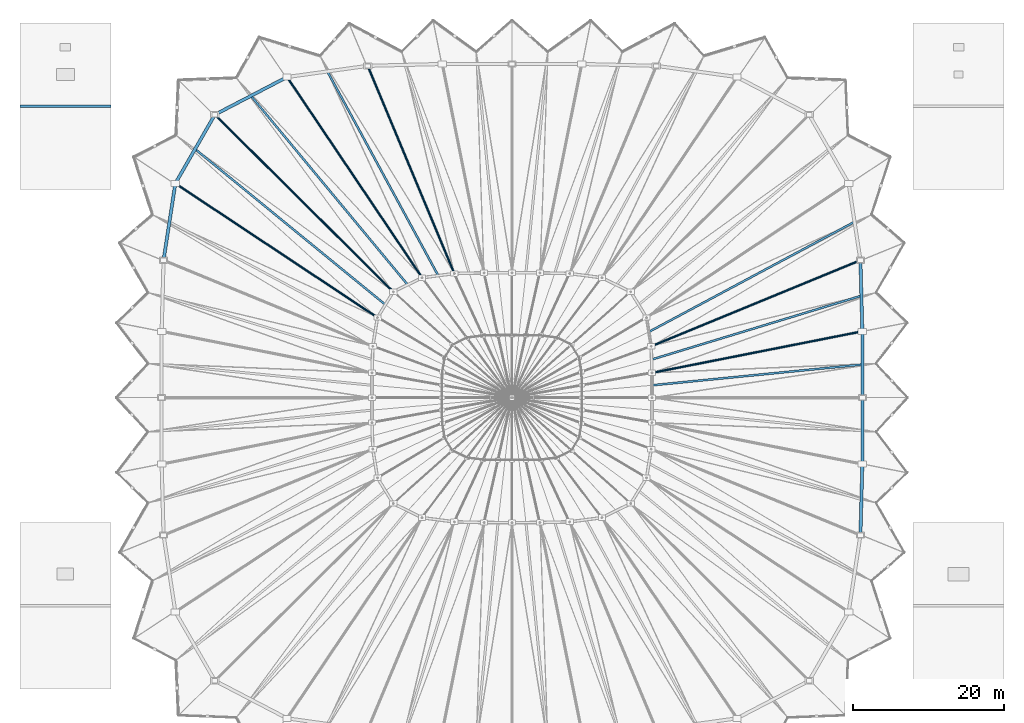
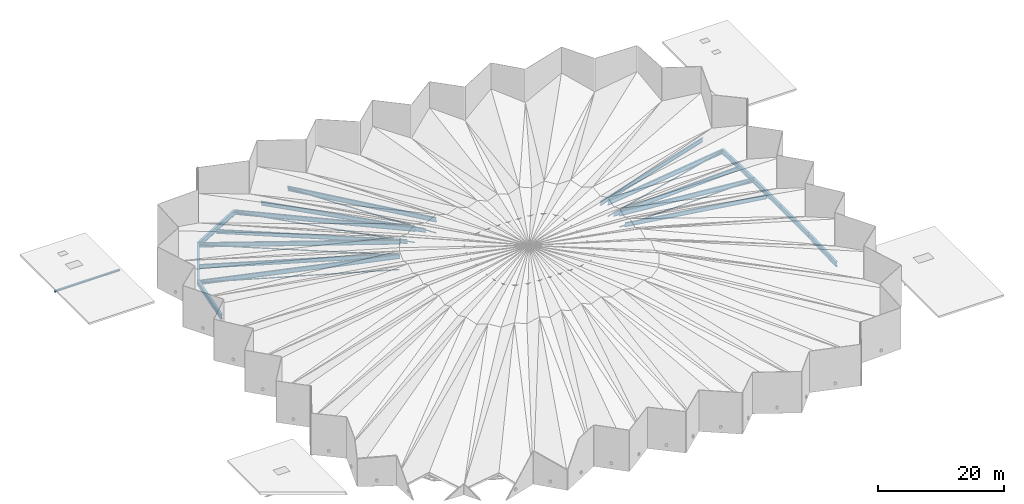
# One storey, part 24 of 41: 20 beams, 6 members.
"""IFC4 building model written with IfcOpenShell, lengths in metres."""

from ifc_helpers import new_model, si_unit, direction, frame, origin, origin_2d, place, context, subcontext, project, spatial, hollow_circle, i_section, extrude, material, material_profile, profile_set, type_object, element, save


model = new_model("IFC4")

# Units and contexts
model_context = context("Model", 3, precision=1e-05, world=origin(), true_north=direction((0.0, 1.0)))
body_context = subcontext(model_context, "Body", "Model", "MODEL_VIEW")
ifc_project = project(units=[si_unit("LENGTHUNIT", "METRE"), si_unit("AREAUNIT", "SQUARE_METRE"), si_unit("VOLUMEUNIT", "CUBIC_METRE"), si_unit("PLANEANGLEUNIT", "RADIAN"), si_unit("MASSUNIT", "GRAM", prefix="KILO")], contexts=[model_context])

# Site, building, storey
site_placement = place(None, origin())
site = spatial("IfcSite", under=ifc_project, at=site_placement, CompositionType="ELEMENT")
building_placement = place(site_placement, origin())
building = spatial("IfcBuilding", under=site, at=building_placement, Name="Luwafu Chhajja Arena", CompositionType="ELEMENT")
storey_placement = place(building_placement, frame((0.0, 0.0, 29.699951171875)))
storey = spatial("IfcBuildingStorey", under=building, at=storey_placement, Name="RF", CompositionType="ELEMENT", Elevation=29.699951171875)

# Beams
ifc_material = material(Name="Steel S355", Category="steel")
ifc_material_profile_1 = material_profile(ifc_material, i_section(OverallWidth=0.29248046875, OverallDepth=0.8408203125, WebThickness=0.0146484375, FlangeThickness=0.021728515625, at=origin_2d()), Name="UB 838x292x194")
ifc_profile_set_1 = profile_set([ifc_material_profile_1], Name="Steel S355")
beam_type_1 = type_object("IfcBeamType", Name="Folded Roof Ridge Girder UB 838x292x194", PredefinedType="BEAM", material=ifc_profile_set_1)
beam_1_placement = place(storey_placement, frame((145.28759765625, 58.269775390625, 0.179931640625), z_axis=(-0.956205891368, -0.188833822132, 0.223633809903), x_axis=(0.19374064553, -0.981052782611, 0.0)))
element("IfcBeam", 1, at=beam_1_placement, inside=storey, type_object=beam_type_1, Name="Roof truss ridge beam FR-02", PredefinedType="BEAM", context=body_context, shape_type="SweptSolid", body=[
    extrude(i_section(OverallWidth=0.29248046875, OverallDepth=0.8408203125, WebThickness=0.0146484375, FlangeThickness=0.021728515625, at=origin_2d()), origin(), (0.0, 0.0, 1.0), 29.0654296875),
])
beam_2_placement = place(storey_placement, frame((145.031982421875, 67.6611328125, 0.179931640625), z_axis=(-0.903721333202, -0.371642526178, 0.212531373334), x_axis=(0.38033148676, -0.924850236621, 0.0)))
element("IfcBeam", 2, at=beam_2_placement, inside=storey, type_object=beam_type_1, Name="Roof truss ridge beam FR-03", PredefinedType="BEAM", context=body_context, shape_type="SweptSolid", body=[
    extrude(i_section(OverallWidth=0.29248046875, OverallDepth=0.8408203125, WebThickness=0.0146484375, FlangeThickness=0.021728515625, at=origin_2d()), origin(), (0.0, 0.0, 1.0), 30.583740234375),
])
beam_3_placement = place(storey_placement, frame((79.932861328125, 93.3447265625, 0.179931640625), z_axis=(0.376163407682, -0.901603356714, 0.213570779564), x_axis=(0.922896807402, 0.385047377459, 0.0)))
element("IfcBeam", 3, at=beam_3_placement, inside=storey, type_object=beam_type_1, Name="Roof truss ridge beam FR-11", PredefinedType="BEAM", context=body_context, shape_type="SweptSolid", body=[
    extrude(i_section(OverallWidth=0.29248046875, OverallDepth=0.8408203125, WebThickness=0.0146484375, FlangeThickness=0.021728515625, at=origin_2d()), origin(), (0.0, 0.0, 1.0), 30.434814453125),
])
beam_4_placement = place(storey_placement, frame((69.281982421875, 91.86279296875, 0.179931640625), z_axis=(0.547145201878, -0.81296218727, 0.199310336236), x_axis=(0.829607074057, 0.558347653953, 0.0)))
element("IfcBeam", 4, at=beam_4_placement, inside=storey, type_object=beam_type_1, Name="Roof truss ridge beam FR-12", PredefinedType="BEAM", context=body_context, shape_type="SweptSolid", body=[
    extrude(i_section(OverallWidth=0.29248046875, OverallDepth=0.8408203125, WebThickness=0.0146484375, FlangeThickness=0.021728515625, at=origin_2d()), origin(), (0.0, 0.0, 1.0), 32.612548828125),
])
beam_5_placement = place(storey_placement, frame((59.743896484375, 86.890869140625, 0.179931640625), z_axis=(0.696441850284, -0.691435577104, 0.192056220643), x_axis=(0.70455156187, 0.709652800083, 0.0)))
element("IfcBeam", 5, at=beam_5_placement, inside=storey, type_object=beam_type_1, Name="Roof truss ridge beam FR-13", PredefinedType="BEAM", context=body_context, shape_type="SweptSolid", body=[
    extrude(i_section(OverallWidth=0.29248046875, OverallDepth=0.8408203125, WebThickness=0.0146484375, FlangeThickness=0.021728515625, at=origin_2d()), origin(), (0.0, 0.0, 1.0), 33.84423828125),
])
beam_6_placement = place(storey_placement, frame((54.52392578125, 77.805908203125, 0.179931640625), z_axis=(0.816684064873, -0.541768182582, 0.198782228895), x_axis=(0.552800033918, 0.833313939941, 0.0)))
element("IfcBeam", 6, at=beam_6_placement, inside=storey, type_object=beam_type_1, Name="Roof truss ridge beam FR-14", PredefinedType="BEAM", context=body_context, shape_type="SweptSolid", body=[
    extrude(i_section(OverallWidth=0.29248046875, OverallDepth=0.8408203125, WebThickness=0.0146484375, FlangeThickness=0.021728515625, at=origin_2d()), origin(), (0.0, 0.0, 1.0), 32.69921875),
])
ifc_material_profile_2 = material_profile(ifc_material, i_section(OverallWidth=0.2666015625, OverallDepth=0.76220703125, WebThickness=0.014404296875, FlangeThickness=0.021484375, at=origin_2d()), Name="UB 762x267x173")
ifc_profile_set_2 = profile_set([ifc_material_profile_2], Name="Steel S355")
beam_type_2 = type_object("IfcBeamType", Name="Folded Roof Valley Girder UB 762x267x173", PredefinedType="BEAM", material=ifc_profile_set_2)
beam_7_placement = place(storey_placement, frame((145.293701171875, 53.885009765625, -0.3798828125), z_axis=(-0.973676695263, -0.096133608525, 0.206668871419), x_axis=(0.098254837604, -0.995161286871, 0.0)))
element("IfcBeam", 7, at=beam_7_placement, inside=storey, type_object=beam_type_2, Name="Roof truss valley beam FV-01", PredefinedType="BEAM", context=body_context, shape_type="SweptSolid", body=[
    extrude(i_section(OverallWidth=0.2666015625, OverallDepth=0.76220703125, WebThickness=0.014404296875, FlangeThickness=0.021484375, at=origin_2d()), origin(), (0.0, 0.0, 1.0), 28.547607421875),
])
beam_8_placement = place(storey_placement, frame((145.159912109375, 62.96533203125, -0.3798828125), z_axis=(-0.937504814036, -0.285056826494, 0.199567856453), x_axis=(0.290908744238, -0.956750804821, 0.0)))
element("IfcBeam", 8, at=beam_8_placement, inside=storey, type_object=beam_type_2, Name="Roof truss valley beam FV-02", PredefinedType="BEAM", context=body_context, shape_type="SweptSolid", body=[
    extrude(i_section(OverallWidth=0.2666015625, OverallDepth=0.76220703125, WebThickness=0.014404296875, FlangeThickness=0.021484375, at=origin_2d()), origin(), (0.0, 0.0, 1.0), 29.5634765625),
])
beam_9_placement = place(storey_placement, frame((144.254150390625, 72.7333984375, -0.3798828125), z_axis=(-0.865969211117, -0.463403274803, 0.188028535862), x_axis=(0.471818840575, -0.881695515288, 0.0)))
element("IfcBeam", 9, at=beam_9_placement, inside=storey, type_object=beam_type_2, Name="Roof truss valley beam FV-03", PredefinedType="BEAM", context=body_context, shape_type="SweptSolid", body=[
    extrude(i_section(OverallWidth=0.2666015625, OverallDepth=0.76220703125, WebThickness=0.014404296875, FlangeThickness=0.021484375, at=origin_2d()), origin(), (0.0, 0.0, 1.0), 31.377685546875),
])
beam_10_placement = place(storey_placement, frame((74.607421875, 92.603759765625, -0.3798828125), z_axis=(0.4685551844, -0.863035066768, 0.188749868081), x_axis=(0.878831897098, 0.47713152971, 0.0)))
element("IfcBeam", 10, at=beam_10_placement, inside=storey, type_object=beam_type_2, Name="Roof truss valley beam FV-11", PredefinedType="BEAM", context=body_context, shape_type="SweptSolid", body=[
    extrude(i_section(OverallWidth=0.2666015625, OverallDepth=0.76220703125, WebThickness=0.014404296875, FlangeThickness=0.021484375, at=origin_2d()), origin(), (0.0, 0.0, 1.0), 31.2578125),
])
beam_11_placement = place(storey_placement, frame((64.512939453125, 89.376708984375, -0.3798828125), z_axis=(0.628231662991, -0.757156292795, 0.178995323672), x_axis=(0.769585151023, 0.638544199978, 0.0)))
element("IfcBeam", 11, at=beam_11_placement, inside=storey, type_object=beam_type_2, Name="Roof truss valley beam FV-12", PredefinedType="BEAM", context=body_context, shape_type="SweptSolid", body=[
    extrude(i_section(OverallWidth=0.2666015625, OverallDepth=0.76220703125, WebThickness=0.014404296875, FlangeThickness=0.021484375, at=origin_2d()), origin(), (0.0, 0.0, 1.0), 32.961181640625),
])
beam_12_placement = place(storey_placement, frame((57.1337890625, 82.348388671875, -0.3798828125), z_axis=(0.761626564411, -0.622873300209, 0.178756337706), x_axis=(0.633069920546, 0.774094616762, 0.0)))
element("IfcBeam", 12, at=beam_12_placement, inside=storey, type_object=beam_type_2, Name="Roof truss valley beam FV-13", PredefinedType="BEAM", context=body_context, shape_type="SweptSolid", body=[
    extrude(i_section(OverallWidth=0.2666015625, OverallDepth=0.76220703125, WebThickness=0.014404296875, FlangeThickness=0.021484375, at=origin_2d()), origin(), (0.0, 0.0, 1.0), 33.00537109375),
])
ifc_material_profile_3 = material_profile(ifc_material, i_section(OverallWidth=0.41845703125, OverallDepth=0.911865234375, WebThickness=0.019287109375, FlangeThickness=0.031982421875, at=origin_2d()), Name="UB 914x419x343")
ifc_profile_set_3 = profile_set([ifc_material_profile_3], Name="Steel S355")
beam_type_3 = type_object("IfcBeamType", Name="Outer Compression Ring Girder UB 914x419x343", PredefinedType="BEAM", material=ifc_profile_set_3)
beam_13_placement = place(storey_placement, frame((145.300048828125, 49.5, 0.179931640625), z_axis=(-0.001419780869, 0.999998992111, 0.0), x_axis=(-0.999998992111, -0.001419780869, 0.0)))
element("IfcBeam", 13, at=beam_13_placement, inside=storey, type_object=beam_type_3, Name="Roof Outer Compression Ring Beam OR-01", PredefinedType="BEAM", context=body_context, shape_type="SweptSolid", body=[
    extrude(i_section(OverallWidth=0.41845703125, OverallDepth=0.911865234375, WebThickness=0.019287109375, FlangeThickness=0.031982421875, at=origin_2d()), origin(), (0.0, 0.0, 1.0), 8.769775390625),
])
beam_14_placement = place(storey_placement, frame((145.28759765625, 58.269775390625, 0.179931640625), z_axis=(-0.02720805866, 0.999629792245, 0.0), x_axis=(-0.999629792245, -0.02720805866, 0.0)))
element("IfcBeam", 14, at=beam_14_placement, inside=storey, type_object=beam_type_3, Name="Roof Outer Compression Ring Beam OR-02", PredefinedType="BEAM", context=body_context, shape_type="SweptSolid", body=[
    extrude(i_section(OverallWidth=0.41845703125, OverallDepth=0.911865234375, WebThickness=0.019287109375, FlangeThickness=0.031982421875, at=origin_2d()), origin(), (0.0, 0.0, 1.0), 9.394775390625),
])
beam_15_placement = place(storey_placement, frame((69.281982421875, 91.86279296875, 0.179931640625), z_axis=(-0.886755170812, -0.462239404463, 0.0), x_axis=(0.462239404463, -0.886755170812, 0.0)))
element("IfcBeam", 15, at=beam_15_placement, inside=storey, type_object=beam_type_3, Name="Roof Outer Compression Ring Beam OR-12", PredefinedType="BEAM", context=body_context, shape_type="SweptSolid", body=[
    extrude(i_section(OverallWidth=0.41845703125, OverallDepth=0.911865234375, WebThickness=0.019287109375, FlangeThickness=0.031982421875, at=origin_2d()), origin(), (0.0, 0.0, 1.0), 10.756103515625),
])
beam_16_placement = place(storey_placement, frame((59.743896484375, 86.890869140625, 0.179931640625), z_axis=(-0.498192671921, -0.867066353657, 0.0), x_axis=(0.867066353657, -0.498192671921, 0.0)))
element("IfcBeam", 16, at=beam_16_placement, inside=storey, type_object=beam_type_3, Name="Roof Outer Compression Ring Beam OR-13", PredefinedType="BEAM", context=body_context, shape_type="SweptSolid", body=[
    extrude(i_section(OverallWidth=0.41845703125, OverallDepth=0.911865234375, WebThickness=0.019287109375, FlangeThickness=0.031982421875, at=origin_2d()), origin(), (0.0, 0.0, 1.0), 10.477783203125),
])
beam_17_placement = place(storey_placement, frame((54.52392578125, 77.805908203125, 0.179931640625), z_axis=(-0.1515977802, -0.988442265911, 0.0), x_axis=(0.988442265911, -0.1515977802, 0.0)))
element("IfcBeam", 17, at=beam_17_placement, inside=storey, type_object=beam_type_3, Name="Roof Outer Compression Ring Beam OR-14", PredefinedType="BEAM", context=body_context, shape_type="SweptSolid", body=[
    extrude(i_section(OverallWidth=0.41845703125, OverallDepth=0.911865234375, WebThickness=0.019287109375, FlangeThickness=0.031982421875, at=origin_2d()), origin(), (0.0, 0.0, 1.0), 10.263427734375),
])
beam_18_placement = place(storey_placement, frame((145.031982421875, 31.3388671875, 0.179931640625), z_axis=(0.02720805866, 0.999629792245, 0.0), x_axis=(-0.999629792245, 0.02720805866, 0.0)))
element("IfcBeam", 18, at=beam_18_placement, inside=storey, type_object=beam_type_3, Name="Roof Outer Compression Ring Beam OR-31", PredefinedType="BEAM", context=body_context, shape_type="SweptSolid", body=[
    extrude(i_section(OverallWidth=0.41845703125, OverallDepth=0.911865234375, WebThickness=0.019287109375, FlangeThickness=0.031982421875, at=origin_2d()), origin(), (0.0, 0.0, 1.0), 9.394775390625),
])
beam_19_placement = place(storey_placement, frame((145.28759765625, 40.730224609375, 0.179931640625), z_axis=(0.001419780869, 0.999998992111, 0.0), x_axis=(-0.999998992111, 0.001419780869, 0.0)))
element("IfcBeam", 19, at=beam_19_placement, inside=storey, type_object=beam_type_3, Name="Roof Outer Compression Ring Beam OR-32", PredefinedType="BEAM", context=body_context, shape_type="SweptSolid", body=[
    extrude(i_section(OverallWidth=0.41845703125, OverallDepth=0.911865234375, WebThickness=0.019287109375, FlangeThickness=0.031982421875, at=origin_2d()), origin(), (0.0, 0.0, 1.0), 8.769775390625),
])

# Members
ifc_material_profile_4 = material_profile(ifc_material, hollow_circle(Radius=0.109619140625, WallThickness=0.010009765625, at=origin_2d()), Name="CHS 219.1x10")
ifc_profile_set_4 = profile_set([ifc_material_profile_4], Name="Steel S355")
member_type = type_object("IfcMemberType", Name="Roof Plan Wind Plan Brace CHS 219", PredefinedType="BRACE", material=ifc_profile_set_4)
member_1_placement = place(storey_placement, frame((145.28759765625, 58.269775390625, 0.179931640625), z_axis=(-0.971792624942, -0.191911927488, 0.137072631096), x_axis=(0.19374064553, -0.981052782611, 0.0)))
element("IfcMember", 20, at=member_1_placement, inside=storey, type_object=member_type, Name="Roof truss diagonal web RW-02", PredefinedType="BRACE", context=body_context, shape_type="SweptSolid", body=[
    extrude(hollow_circle(Radius=0.109619140625, WallThickness=0.010009765625, at=origin_2d()), origin(), (0.0, 0.0, 1.0), 28.59912109375),
])
member_2_placement = place(storey_placement, frame((145.031982421875, 67.6611328125, 0.179931640625), z_axis=(-0.916994578795, -0.377100959371, 0.130060789256), x_axis=(0.38033148676, -0.924850236621, 0.0)))
element("IfcMember", 21, at=member_2_placement, inside=storey, type_object=member_type, Name="Roof truss diagonal web RW-03", PredefinedType="BRACE", context=body_context, shape_type="SweptSolid", body=[
    extrude(hollow_circle(Radius=0.109619140625, WallThickness=0.010009765625, at=origin_2d()), origin(), (0.0, 0.0, 1.0), 30.14111328125),
])
member_3_placement = place(storey_placement, frame((79.932861328125, 93.3447265625, 0.179931640625), z_axis=(0.381743623517, -0.91497823908, 0.130715828862), x_axis=(0.922896807402, 0.385047377459, 0.0)))
element("IfcMember", 22, at=member_3_placement, inside=storey, type_object=member_type, Name="Roof truss diagonal web RW-11", PredefinedType="BRACE", context=body_context, shape_type="SweptSolid", body=[
    extrude(hollow_circle(Radius=0.109619140625, WallThickness=0.010009765625, at=origin_2d()), origin(), (0.0, 0.0, 1.0), 29.989990234375),
])
member_4_placement = place(storey_placement, frame((69.281982421875, 91.86279296875, 0.179931640625), z_axis=(0.554193781547, -0.823435145316, 0.12175308601), x_axis=(0.829607074057, 0.558347653953, 0.0)))
element("IfcMember", 23, at=member_4_placement, inside=storey, type_object=member_type, Name="Roof truss diagonal web RW-12", PredefinedType="BRACE", context=body_context, shape_type="SweptSolid", body=[
    extrude(hollow_circle(Radius=0.109619140625, WallThickness=0.010009765625, at=origin_2d()), origin(), (0.0, 0.0, 1.0), 32.19775390625),
])
member_5_placement = place(storey_placement, frame((59.743896484375, 86.890869140625, 0.179931640625), z_axis=(0.704761004197, -0.699694929963, 0.117213190164), x_axis=(0.70455156187, 0.709652800083, 0.0)))
element("IfcMember", 24, at=member_5_placement, inside=storey, type_object=member_type, Name="Roof truss diagonal web RW-13", PredefinedType="BRACE", context=body_context, shape_type="SweptSolid", body=[
    extrude(hollow_circle(Radius=0.109619140625, WallThickness=0.010009765625, at=origin_2d()), origin(), (0.0, 0.0, 1.0), 33.44482421875),
])
member_6_placement = place(storey_placement, frame((54.52392578125, 77.805908203125, 0.179931640625), z_axis=(0.827148215095, -0.548709843245, 0.121422148686), x_axis=(0.552800033918, 0.833313939941, 0.0)))
element("IfcMember", 25, at=member_6_placement, inside=storey, type_object=member_type, Name="Roof truss diagonal web RW-14", PredefinedType="BRACE", context=body_context, shape_type="SweptSolid", body=[
    extrude(hollow_circle(Radius=0.109619140625, WallThickness=0.010009765625, at=origin_2d()), origin(), (0.0, 0.0, 1.0), 32.285400390625),
])

# Beam
ifc_material_profile_5 = material_profile(ifc_material, i_section(OverallWidth=0.300048828125, OverallDepth=0.300048828125, WebThickness=0.010986328125, FlangeThickness=0.01904296875, at=origin_2d()), Name="HEB 300")
ifc_profile_set_5 = profile_set([ifc_material_profile_5], Name="Steel S355")
beam_type_4 = type_object("IfcBeamType", Name="Steel Core Cap Beam HEB 300", PredefinedType="BEAM", material=ifc_profile_set_5)
beam_20_placement = place(storey_placement, frame((34.0, 88.0, -0.52001953125), z_axis=(1.0, 0.0, 0.0), x_axis=(0.0, 1.0, 0.0)))
element("IfcBeam", 26, at=beam_20_placement, inside=storey, type_object=beam_type_4, Name="RF Core C3 Cap Beam M", PredefinedType="BEAM", context=body_context, shape_type="SweptSolid", body=[
    extrude(i_section(OverallWidth=0.300048828125, OverallDepth=0.300048828125, WebThickness=0.010986328125, FlangeThickness=0.01904296875, at=origin_2d()), origin(), (0.0, 0.0, 1.0), 12.0),
])

save(model, "model.ifc")
